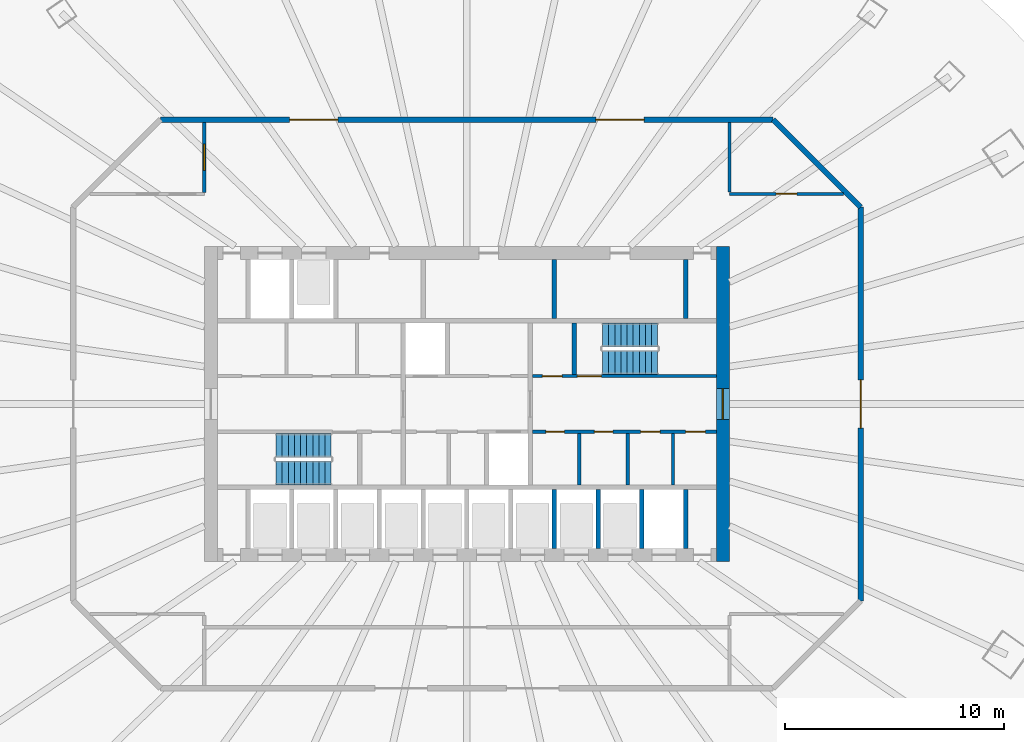
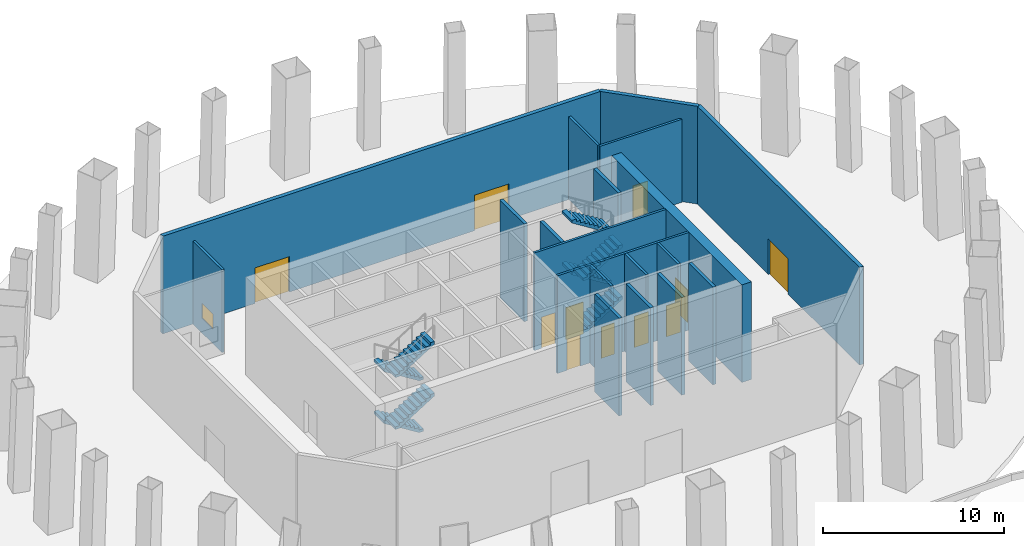
# One storey, part 8 of 10: 19 walls, 11 doors, 8 stair flights, 1 window, 12 openings, 2 elements without a shape of their own.
"""IFC4 building model written with IfcOpenShell, lengths in metres."""

from ifc_helpers import new_model, si_unit, direction, frame, frame_2d, origin, place, context, subcontext, project, spatial, polyline, rectangle, outline, extrude, material, layer, layer_set, type_object, element, fill, aggregate, save


model = new_model("IFC4")

# Units and contexts
model_context = context("Model", 3, precision=1e-05, world=origin(), true_north=direction((0.0, 1.0)))
body_context = subcontext(model_context, "Body", "Model", "MODEL_VIEW")
ifc_project = project(units=[si_unit("LENGTHUNIT", "METRE"), si_unit("AREAUNIT", "SQUARE_METRE"), si_unit("VOLUMEUNIT", "CUBIC_METRE"), si_unit("PLANEANGLEUNIT", "RADIAN"), si_unit("MASSUNIT", "GRAM", prefix="KILO")], contexts=[model_context])

# Site, building, storey
site_placement = place(None, origin())
site = spatial("IfcSite", under=ifc_project, at=site_placement, CompositionType="ELEMENT")
building_placement = place(site_placement, origin())
building = spatial("IfcBuilding", under=site, at=building_placement, Name="Siaravel Broadcast Tower", CompositionType="ELEMENT")
storey_placement = place(building_placement, origin())
storey = spatial("IfcBuildingStorey", under=building, at=storey_placement, Name="L00", CompositionType="ELEMENT", Elevation=0.0)

# Walls
ifc_material_1 = material(Name="Concrete blockwork", Category="masonry")
ifc_layer_1 = layer(ifc_material_1, 0.14990234375)
ifc_layer_set_1 = layer_set([ifc_layer_1], Name="Concrete blockwork")
wall_type_1 = type_object("IfcWallType", Name="Core partition 150", PredefinedType="PARTITIONING", material=ifc_layer_set_1)
for number, where, z_axis, x_axis, name in (
    (1, (5.14208984375, -3.699951171875, 0.0), (0.0, 0.0, 1.0), (0.0, 1.0, 0.0), "L00 core partition PSE0"),
    (2, (7.35888671875, -3.699951171875, 0.0), (0.0, 0.0, 1.0), (0.0, 1.0, 0.0), "L00 core partition PSE1"),
    (3, (9.4169921875, -3.699951171875, 0.0), (0.0, 0.0, 1.0), (0.0, 1.0, 0.0), "L00 core partition PSE2"),
):
    element("IfcWall", number, at=place(storey_placement, frame(where, z_axis=z_axis, x_axis=x_axis)), inside=storey, type_object=wall_type_1, Name=name, PredefinedType="PARTITIONING", context=body_context, shape_type="SweptSolid", body=[
        extrude(rectangle(XDim=2.349853515625, YDim=0.14990234375, at=frame_2d((1.1748046875, 0.0))), origin(), (0.0, 0.0, 1.0), 6.60009765625),
    ])
ifc_layer_2 = layer(ifc_material_1, 0.199951171875)
ifc_layer_set_2 = layer_set([ifc_layer_2], Name="Concrete blockwork")
wall_type_2 = type_object("IfcWallType", Name="Core partition 200", PredefinedType="PARTITIONING", material=ifc_layer_set_2)
wall_1_placement = place(storey_placement, frame((4.0, 3.89990234375, 0.0), z_axis=(0.0, 0.0, 1.0), x_axis=(0.0, 1.0, 0.0)))
element("IfcWall", 4, at=wall_1_placement, inside=storey, type_object=wall_type_2, Name="L00 core partition PFN4", PredefinedType="PARTITIONING", context=body_context, shape_type="SweptSolid", body=[
    extrude(rectangle(XDim=2.7001953125, YDim=0.199951171875, at=frame_2d((1.35009765625, 0.0))), origin(), (0.0, 0.0, 1.0), 6.60009765625),
])

# Wall, opening, door
ifc_material_2 = material(Name="Concrete C60/75", Category="concrete")
ifc_layer_3 = layer(ifc_material_2, 0.60009765625)
ifc_layer_set_3 = layer_set([ifc_layer_3], Name="Concrete C60/75")
wall_type_3 = type_object("IfcWallType", Name="Core wall 600", PredefinedType="SHEAR", material=ifc_layer_set_3)
wall_2_placement = place(storey_placement, frame((11.699951171875, -7.199951171875, 0.0), z_axis=(0.0, 0.0, 1.0), x_axis=(0.0, 1.0, 0.0)))
wall_2 = element("IfcWall", 5, at=wall_2_placement, inside=storey, type_object=wall_type_3, Name="L00 core wall OE", PredefinedType="SHEAR", context=body_context, shape_type="SweptSolid", body=[
    extrude(rectangle(XDim=14.39990234375, YDim=0.60009765625, at=frame_2d((7.199951171875, 0.0))), origin(), (0.0, 0.0, 1.0), 6.60009765625),
])
opening_1_placement = place(wall_2_placement, frame((6.5, 0.0, 0.0)))
opening_1 = element("IfcOpeningElement", 6, at=opening_1_placement, cuts=wall_2, Name="Opening L00-DX-E", PredefinedType="OPENING", context=body_context, shape_type="SweptSolid", body=[
    extrude(rectangle(XDim=1.39990234375, YDim=2.199951171875, at=frame_2d((0.699951171875, 1.10009765625))), frame((0.0, 0.31005859375, 0.0), z_axis=(0.0, -1.0, 0.0), x_axis=(1.0, 0.0, 0.0)), (0.0, 0.0, 1.0), 0.6201171875),
])
ifc_material_3 = material(Name="Steel", Category="steel")
door_type_1 = type_object("IfcDoorType", Name="Core exit door 1400", OperationType="DOUBLE_DOOR_SINGLE_SWING", PredefinedType="DOOR", material=ifc_material_3)
door_1_placement = place(opening_1_placement, origin())
door_1 = element("IfcDoor", 7, at=door_1_placement, inside=storey, type_object=door_type_1, Name="L00 door DX-E", OperationType="DOUBLE_DOOR_SINGLE_SWING", OverallHeight=2.199951171875, OverallWidth=1.39990234375, PredefinedType="DOOR", context=body_context, shape_type="SweptSolid", body=[
    extrude(rectangle(XDim=1.39990234375, YDim=2.199951171875, at=frame_2d((0.699951171875, 1.10009765625))), frame((0.0, 0.02490234375, 0.0), z_axis=(0.0, -1.0, 0.0), x_axis=(1.0, 0.0, 0.0)), (0.0, 0.0, 1.0), 0.050048828125),
])
fill(opening_1, door_1)

# Wall, openings, doors
ifc_material_4 = material(Name="Gypsum board partition", Category="gypsum")
ifc_layer_4 = layer(ifc_material_4, 0.14990234375)
ifc_layer_set_4 = layer_set([ifc_layer_4], Name="Gypsum board partition")
wall_type_4 = type_object("IfcWallType", Name="Corridor wall 150", PredefinedType="PARTITIONING", material=ifc_layer_set_4)
wall_3_placement = place(storey_placement, frame((3.0, -1.27490234375, 0.0), z_axis=(0.0, 0.0, 1.0), x_axis=(1.0, 0.0, 0.0)))
wall_3 = element("IfcWall", 8, at=wall_3_placement, inside=storey, type_object=wall_type_4, Name="L00 core partition CSE", PredefinedType="PARTITIONING", context=body_context, shape_type="SweptSolid", body=[
    extrude(rectangle(XDim=8.39990234375, YDim=0.14990234375, at=frame_2d((4.199951171875, 0.0))), origin(), (0.0, 0.0, 1.0), 6.60009765625),
])
opening_2_placement = place(wall_3_placement, frame((0.6083984375, 0.0, 0.0)))
opening_2 = element("IfcOpeningElement", 9, at=opening_2_placement, cuts=wall_3, Name="Opening L00-DSE0", PredefinedType="OPENING", context=body_context, shape_type="SweptSolid", body=[
    extrude(rectangle(XDim=0.85009765625, YDim=2.10009765625, at=frame_2d((0.425048828125, 1.050048828125))), frame((0.0, 0.0849609375, 0.0), z_axis=(0.0, -1.0, 0.0), x_axis=(1.0, 0.0, 0.0)), (0.0, 0.0, 1.0), 0.169921875),
])
opening_3_placement = place(wall_3_placement, frame((2.825439453125, 0.0, 0.0)))
opening_3 = element("IfcOpeningElement", 10, at=opening_3_placement, cuts=wall_3, Name="Opening L00-DSE1", PredefinedType="OPENING", context=body_context, shape_type="SweptSolid", body=[
    extrude(rectangle(XDim=0.85009765625, YDim=2.10009765625, at=frame_2d((0.425048828125, 1.050048828125))), frame((0.0, 0.0849609375, 0.0), z_axis=(0.0, -1.0, 0.0), x_axis=(1.0, 0.0, 0.0)), (0.0, 0.0, 1.0), 0.169921875),
])
opening_4_placement = place(wall_3_placement, frame((4.93798828125, 0.0, 0.0)))
opening_4 = element("IfcOpeningElement", 11, at=opening_4_placement, cuts=wall_3, Name="Opening L00-DSE2", PredefinedType="OPENING", context=body_context, shape_type="SweptSolid", body=[
    extrude(rectangle(XDim=0.89990234375, YDim=2.10009765625, at=frame_2d((0.449951171875, 1.050048828125))), frame((0.0, 0.0849609375, 0.0), z_axis=(0.0, -1.0, 0.0), x_axis=(1.0, 0.0, 0.0)), (0.0, 0.0, 1.0), 0.169921875),
])
opening_5_placement = place(wall_3_placement, frame((6.99609375, 0.0, 0.0)))
opening_5 = element("IfcOpeningElement", 12, at=opening_5_placement, cuts=wall_3, Name="Opening L00-DSE3", PredefinedType="OPENING", context=body_context, shape_type="SweptSolid", body=[
    extrude(rectangle(XDim=0.89990234375, YDim=2.10009765625, at=frame_2d((0.449951171875, 1.050048828125))), frame((0.0, 0.0849609375, 0.0), z_axis=(0.0, -1.0, 0.0), x_axis=(1.0, 0.0, 0.0)), (0.0, 0.0, 1.0), 0.169921875),
])
ifc_material_5 = material(Name="Timber veneer", Category="wood")
door_type_2 = type_object("IfcDoorType", Name="Core room door 900", OperationType="SINGLE_SWING_LEFT", PredefinedType="DOOR", material=ifc_material_5)
door_2_placement = place(opening_4_placement, origin())
door_2 = element("IfcDoor", 13, at=door_2_placement, inside=storey, type_object=door_type_2, Name="L00 door DSE2", OperationType="SINGLE_SWING_LEFT", OverallHeight=2.10009765625, OverallWidth=0.89990234375, PredefinedType="DOOR", context=body_context, shape_type="SweptSolid", body=[
    extrude(rectangle(XDim=0.89990234375, YDim=2.10009765625, at=frame_2d((0.449951171875, 1.050048828125))), frame((0.0, 0.02490234375, 0.0), z_axis=(0.0, -1.0, 0.0), x_axis=(1.0, 0.0, 0.0)), (0.0, 0.0, 1.0), 0.050048828125),
])
fill(opening_4, door_2)
door_3_placement = place(opening_5_placement, origin())
door_3 = element("IfcDoor", 14, at=door_3_placement, inside=storey, type_object=door_type_2, Name="L00 door DSE3", OperationType="SINGLE_SWING_LEFT", OverallHeight=2.10009765625, OverallWidth=0.89990234375, PredefinedType="DOOR", context=body_context, shape_type="SweptSolid", body=[
    extrude(rectangle(XDim=0.89990234375, YDim=2.10009765625, at=frame_2d((0.449951171875, 1.050048828125))), frame((0.0, 0.02490234375, 0.0), z_axis=(0.0, -1.0, 0.0), x_axis=(1.0, 0.0, 0.0)), (0.0, 0.0, 1.0), 0.050048828125),
])
fill(opening_5, door_3)
door_type_3 = type_object("IfcDoorType", Name="Core toilet door 850", OperationType="SINGLE_SWING_LEFT", PredefinedType="DOOR", material=ifc_material_5)
door_4_placement = place(opening_2_placement, origin())
door_4 = element("IfcDoor", 15, at=door_4_placement, inside=storey, type_object=door_type_3, Name="L00 door DSE0", OperationType="SINGLE_SWING_LEFT", OverallHeight=2.10009765625, OverallWidth=0.85009765625, PredefinedType="DOOR", context=body_context, shape_type="SweptSolid", body=[
    extrude(rectangle(XDim=0.85009765625, YDim=2.10009765625, at=frame_2d((0.425048828125, 1.050048828125))), frame((0.0, 0.02490234375, 0.0), z_axis=(0.0, -1.0, 0.0), x_axis=(1.0, 0.0, 0.0)), (0.0, 0.0, 1.0), 0.050048828125),
])
fill(opening_2, door_4)
door_5_placement = place(opening_3_placement, origin())
door_5 = element("IfcDoor", 16, at=door_5_placement, inside=storey, type_object=door_type_3, Name="L00 door DSE1", OperationType="SINGLE_SWING_LEFT", OverallHeight=2.10009765625, OverallWidth=0.85009765625, PredefinedType="DOOR", context=body_context, shape_type="SweptSolid", body=[
    extrude(rectangle(XDim=0.85009765625, YDim=2.10009765625, at=frame_2d((0.425048828125, 1.050048828125))), frame((0.0, 0.02490234375, 0.0), z_axis=(0.0, -1.0, 0.0), x_axis=(1.0, 0.0, 0.0)), (0.0, 0.0, 1.0), 0.050048828125),
])
fill(opening_3, door_5)

# Wall, opening, door
wall_4_placement = place(storey_placement, frame((17.22314453125, 9.60009765625, 0.0), z_axis=(0.0, 0.0, 1.0), x_axis=(-1.0, 0.0, 0.0)))
wall_4 = element("IfcWall", 17, at=wall_4_placement, inside=storey, type_object=wall_type_4, Name="L00 partition 5", PredefinedType="PARTITIONING", context=body_context, shape_type="SweptSolid", body=[
    extrude(rectangle(XDim=5.22314453125, YDim=0.14990234375, at=frame_2d((2.611572265625, 0.0))), origin(), (0.0, 0.0, 1.0), 5.60009765625),
])
opening_6_placement = place(wall_4_placement, frame((2.13671875, 0.0, 0.0)))
opening_6 = element("IfcOpeningElement", 18, at=opening_6_placement, cuts=wall_4, Name="Opening L00-002", PredefinedType="OPENING", context=body_context, shape_type="SweptSolid", body=[
    extrude(rectangle(XDim=0.949951171875, YDim=2.14990234375, at=frame_2d((0.47509765625, 1.074951171875))), frame((0.0, 0.0849609375, 0.0), z_axis=(0.0, -1.0, 0.0), x_axis=(1.0, 0.0, 0.0)), (0.0, 0.0, 1.0), 0.169921875),
])
door_type_4 = type_object("IfcDoorType", Name="Office door 950", OperationType="SINGLE_SWING_LEFT", PredefinedType="DOOR", material=ifc_material_5)
door_6_placement = place(opening_6_placement, origin())
door_6 = element("IfcDoor", 19, at=door_6_placement, inside=storey, type_object=door_type_4, Name="L00 door to Reception", OperationType="SINGLE_SWING_RIGHT", OverallHeight=2.14990234375, OverallWidth=0.949951171875, PredefinedType="DOOR", context=body_context, shape_type="SweptSolid", body=[
    extrude(rectangle(XDim=0.949951171875, YDim=2.14990234375, at=frame_2d((0.47509765625, 1.074951171875))), frame((0.0, 0.02490234375, 0.0), z_axis=(0.0, -1.0, 0.0), x_axis=(1.0, 0.0, 0.0)), (0.0, 0.0, 1.0), 0.050048828125),
])
fill(opening_6, door_6)

# Wall, opening, window
wall_5_placement = place(storey_placement, frame((-12.0, 12.875, 0.0), z_axis=(0.0, 0.0, 1.0), x_axis=(0.0, -1.0, 0.0)))
wall_5 = element("IfcWall", 20, at=wall_5_placement, inside=storey, type_object=wall_type_4, Name="L00 partition 6", PredefinedType="PARTITIONING", context=body_context, shape_type="SweptSolid", body=[
    extrude(rectangle(XDim=3.197998046875, YDim=0.14990234375, at=frame_2d((1.59912109375, 0.0))), origin(), (0.0, 0.0, 1.0), 5.60009765625),
])
opening_7_placement = place(wall_5_placement, frame((0.9990234375, 0.0, 1.0)))
opening_7 = element("IfcOpeningElement", 21, at=opening_7_placement, cuts=wall_5, Name="Opening L00-W02", PredefinedType="OPENING", context=body_context, shape_type="SweptSolid", body=[
    extrude(rectangle(XDim=1.199951171875, YDim=1.0, at=frame_2d((0.60009765625, 0.5))), frame((0.0, 0.0849609375, 0.0), z_axis=(0.0, -1.0, 0.0), x_axis=(1.0, 0.0, 0.0)), (0.0, 0.0, 1.0), 0.169921875),
])
ifc_material_6 = material(Name="Laminated security glass", Category="glass")
window_type = type_object("IfcWindowType", Name="Security hatch window 1200", PartitioningType="SINGLE_PANEL", PredefinedType="WINDOW", material=ifc_material_6)
window_placement = place(opening_7_placement, origin())
window = element("IfcWindow", 22, at=window_placement, inside=storey, type_object=window_type, Name="L00 security hatch 2", OverallHeight=1.0, OverallWidth=1.199951171875, PartitioningType="SINGLE_PANEL", PredefinedType="WINDOW", context=body_context, shape_type="SweptSolid", body=[
    extrude(rectangle(XDim=1.199951171875, YDim=1.0, at=frame_2d((0.60009765625, 0.5))), frame((0.0, 0.030029296875, 0.0), z_axis=(0.0, -1.0, 0.0), x_axis=(1.0, 0.0, 0.0)), (0.0, 0.0, 1.0), 0.06005859375),
])
fill(opening_7, window)

# Wall
wall_6_placement = place(storey_placement, frame((12.0, 9.677001953125, 0.0), z_axis=(0.0, 0.0, 1.0), x_axis=(0.0, 1.0, 0.0)))
element("IfcWall", 23, at=wall_6_placement, inside=storey, type_object=wall_type_4, Name="L00 partition 7", PredefinedType="PARTITIONING", context=body_context, shape_type="SweptSolid", body=[
    extrude(rectangle(XDim=3.197998046875, YDim=0.14990234375, at=frame_2d((1.59912109375, 0.0))), origin(), (0.0, 0.0, 1.0), 5.60009765625),
])

# Wall, opening, door
ifc_material_7 = material(Name="Concrete C40/50", Category="concrete")
ifc_layer_5 = layer(ifc_material_7, 0.25)
ifc_layer_set_5 = layer_set([ifc_layer_5], Name="Concrete C40/50")
wall_type_5 = type_object("IfcWallType", Name="Pavilion glazed wall", PredefinedType="STANDARD", material=ifc_layer_set_5)
wall_7_placement = place(storey_placement, frame((18.0, 9.0, 0.0), z_axis=(0.0, 0.0, 1.0), x_axis=(0.0, -1.0, 0.0)))
wall_7 = element("IfcWall", 24, at=wall_7_placement, inside=storey, type_object=wall_type_5, Name="Lobby pavilion wall 01", PredefinedType="STANDARD", context=body_context, shape_type="SweptSolid", body=[
    extrude(rectangle(XDim=18.0, YDim=0.25, at=frame_2d((9.0, 0.0))), origin(), (0.0, 0.0, 1.0), 6.60009765625),
])
opening_8_placement = place(wall_7_placement, frame((7.89990234375, 0.0, 0.0)))
opening_8 = element("IfcOpeningElement", 25, at=opening_8_placement, cuts=wall_7, Name="Opening L00-ENT-E", PredefinedType="OPENING", context=body_context, shape_type="SweptSolid", body=[
    extrude(rectangle(XDim=2.199951171875, YDim=2.39990234375, at=frame_2d((1.10009765625, 1.199951171875))), frame((0.0, 0.135009765625, 0.0), z_axis=(0.0, -1.0, 0.0), x_axis=(1.0, 0.0, 0.0)), (0.0, 0.0, 1.0), 0.27001953125),
])
ifc_material_8 = material(Name="Aluminium 6063-T6", Category="aluminium")
door_type_5 = type_object("IfcDoorType", Name="Entrance door", OperationType="DOUBLE_DOOR_SINGLE_SWING", PredefinedType="DOOR", material=ifc_material_8)
door_7_placement = place(opening_8_placement, origin())
door_7 = element("IfcDoor", 26, at=door_7_placement, inside=storey, type_object=door_type_5, Name="Pavilion entrance door east", OperationType="DOUBLE_DOOR_SINGLE_SWING", OverallHeight=2.39990234375, OverallWidth=2.199951171875, PredefinedType="DOOR", context=body_context, shape_type="SweptSolid", body=[
    extrude(rectangle(XDim=2.199951171875, YDim=2.39990234375, at=frame_2d((1.10009765625, 1.199951171875))), frame((0.0, 0.02490234375, 0.0), z_axis=(0.0, -1.0, 0.0), x_axis=(1.0, 0.0, 0.0)), (0.0, 0.0, 1.0), 0.050048828125),
])
fill(opening_8, door_7)

# Wall
wall_8_placement = place(storey_placement, frame((14.0, 13.0, 0.0), z_axis=(0.0, 0.0, 1.0), x_axis=(0.707106781, -0.707106781, 0.0)))
element("IfcWall", 27, at=wall_8_placement, inside=storey, type_object=wall_type_5, Name="Lobby pavilion wall 02", PredefinedType="STANDARD", context=body_context, shape_type="SweptSolid", body=[
    extrude(rectangle(XDim=5.65673828125, YDim=0.25, at=frame_2d((2.828369140625, 0.0))), origin(), (0.0, 0.0, 1.0), 6.60009765625),
])

# Wall, openings, doors
wall_9_placement = place(storey_placement, frame((-14.0, 13.0, 0.0), z_axis=(0.0, 0.0, 1.0), x_axis=(1.0, 0.0, 0.0)))
wall_9 = element("IfcWall", 28, at=wall_9_placement, inside=storey, type_object=wall_type_5, Name="Lobby pavilion wall 03", PredefinedType="STANDARD", context=body_context, shape_type="SweptSolid", body=[
    extrude(rectangle(XDim=28.0, YDim=0.25, at=frame_2d((14.0, 0.0))), origin(), (0.0, 0.0, 1.0), 6.60009765625),
])
opening_9_placement = place(wall_9_placement, frame((5.89990234375, 0.0, 0.0)))
opening_9 = element("IfcOpeningElement", 29, at=opening_9_placement, cuts=wall_9, Name="Opening L00-ENT-N1", PredefinedType="OPENING", context=body_context, shape_type="SweptSolid", body=[
    extrude(rectangle(XDim=2.199951171875, YDim=2.39990234375, at=frame_2d((1.10009765625, 1.199951171875))), frame((0.0, 0.135009765625, 0.0), z_axis=(0.0, -1.0, 0.0), x_axis=(1.0, 0.0, 0.0)), (0.0, 0.0, 1.0), 0.27001953125),
])
opening_10_placement = place(wall_9_placement, frame((19.89990234375, 0.0, 0.0)))
opening_10 = element("IfcOpeningElement", 30, at=opening_10_placement, cuts=wall_9, Name="Opening L00-ENT-N2", PredefinedType="OPENING", context=body_context, shape_type="SweptSolid", body=[
    extrude(rectangle(XDim=2.199951171875, YDim=2.39990234375, at=frame_2d((1.10009765625, 1.199951171875))), frame((0.0, 0.135009765625, 0.0), z_axis=(0.0, -1.0, 0.0), x_axis=(1.0, 0.0, 0.0)), (0.0, 0.0, 1.0), 0.27001953125),
])
door_8_placement = place(opening_9_placement, origin())
door_8 = element("IfcDoor", 31, at=door_8_placement, inside=storey, type_object=door_type_5, Name="Pavilion entrance door north 1", OperationType="DOUBLE_DOOR_SINGLE_SWING", OverallHeight=2.39990234375, OverallWidth=2.199951171875, PredefinedType="DOOR", context=body_context, shape_type="SweptSolid", body=[
    extrude(rectangle(XDim=2.199951171875, YDim=2.39990234375, at=frame_2d((1.10009765625, 1.199951171875))), frame((0.0, 0.02490234375, 0.0), z_axis=(0.0, -1.0, 0.0), x_axis=(1.0, 0.0, 0.0)), (0.0, 0.0, 1.0), 0.050048828125),
])
fill(opening_9, door_8)
door_9_placement = place(opening_10_placement, origin())
door_9 = element("IfcDoor", 32, at=door_9_placement, inside=storey, type_object=door_type_5, Name="Pavilion entrance door north 2", OperationType="DOUBLE_DOOR_SINGLE_SWING", OverallHeight=2.39990234375, OverallWidth=2.199951171875, PredefinedType="DOOR", context=body_context, shape_type="SweptSolid", body=[
    extrude(rectangle(XDim=2.199951171875, YDim=2.39990234375, at=frame_2d((1.10009765625, 1.199951171875))), frame((0.0, 0.02490234375, 0.0), z_axis=(0.0, -1.0, 0.0), x_axis=(1.0, 0.0, 0.0)), (0.0, 0.0, 1.0), 0.050048828125),
])
fill(opening_10, door_9)

ifc_layer_6 = layer(ifc_material_2, 0.14990234375)
ifc_layer_set_6 = layer_set([ifc_layer_6], Name="Concrete C60/75")
wall_type_6 = type_object("IfcWallType", Name="Shaft wall 150", PredefinedType="SHEAR", material=ifc_layer_set_6)
wall_10_placement = place(storey_placement, frame((3.0, 1.27490234375, 0.0), z_axis=(0.0, 0.0, 1.0), x_axis=(1.0, 0.0, 0.0)))
wall_10 = element("IfcWall", 33, at=wall_10_placement, inside=storey, type_object=wall_type_6, Name="L00 core wall CNE", PredefinedType="SHEAR", context=body_context, shape_type="SweptSolid", body=[
    extrude(rectangle(XDim=8.39990234375, YDim=0.14990234375, at=frame_2d((4.199951171875, 0.0))), origin(), (0.0, 0.0, 1.0), 6.60009765625),
])
opening_11_placement = place(wall_10_placement, frame((2.050048828125, 0.0, 0.0)))
opening_11 = element("IfcOpeningElement", 34, at=opening_11_placement, cuts=wall_10, Name="Opening L00-DS-2", PredefinedType="OPENING", context=body_context, shape_type="SweptSolid", body=[
    extrude(rectangle(XDim=1.10009765625, YDim=2.14990234375, at=frame_2d((0.550048828125, 1.074951171875))), frame((0.0, 0.0849609375, 0.0), z_axis=(0.0, -1.0, 0.0), x_axis=(1.0, 0.0, 0.0)), (0.0, 0.0, 1.0), 0.169921875),
])
opening_12_placement = place(wall_10_placement, frame((0.449951171875, 0.0, 0.0)))
opening_12 = element("IfcOpeningElement", 35, at=opening_12_placement, cuts=wall_10, Name="Opening L00-DNE0", PredefinedType="OPENING", context=body_context, shape_type="SweptSolid", body=[
    extrude(rectangle(XDim=0.89990234375, YDim=2.10009765625, at=frame_2d((0.449951171875, 1.050048828125))), frame((0.0, 0.0849609375, 0.0), z_axis=(0.0, -1.0, 0.0), x_axis=(1.0, 0.0, 0.0)), (0.0, 0.0, 1.0), 0.169921875),
])
door_10_placement = place(opening_12_placement, origin())
door_10 = element("IfcDoor", 36, at=door_10_placement, inside=storey, type_object=door_type_2, Name="L00 door DNE0", OperationType="SINGLE_SWING_LEFT", OverallHeight=2.10009765625, OverallWidth=0.89990234375, PredefinedType="DOOR", context=body_context, shape_type="SweptSolid", body=[
    extrude(rectangle(XDim=0.89990234375, YDim=2.10009765625, at=frame_2d((0.449951171875, 1.050048828125))), frame((0.0, 0.02490234375, 0.0), z_axis=(0.0, -1.0, 0.0), x_axis=(1.0, 0.0, 0.0)), (0.0, 0.0, 1.0), 0.050048828125),
])
fill(opening_12, door_10)
door_type_6 = type_object("IfcDoorType", Name="Stair door 1100", OperationType="SINGLE_SWING_LEFT", PredefinedType="DOOR", material=ifc_material_3)
door_11_placement = place(opening_11_placement, origin())
door_11 = element("IfcDoor", 37, at=door_11_placement, inside=storey, type_object=door_type_6, Name="L00 door DS-2", OperationType="SINGLE_SWING_LEFT", OverallHeight=2.14990234375, OverallWidth=1.10009765625, PredefinedType="DOOR", context=body_context, shape_type="SweptSolid", body=[
    extrude(rectangle(XDim=1.10009765625, YDim=2.14990234375, at=frame_2d((0.550048828125, 1.074951171875))), frame((0.0, 0.02490234375, 0.0), z_axis=(0.0, -1.0, 0.0), x_axis=(1.0, 0.0, 0.0)), (0.0, 0.0, 1.0), 0.050048828125),
])
fill(opening_11, door_11)

# Walls
ifc_layer_7 = layer(ifc_material_2, 0.199951171875)
ifc_layer_set_7 = layer_set([ifc_layer_7], Name="Concrete C60/75")
wall_type_7 = type_object("IfcWallType", Name="Shaft wall 200", PredefinedType="SHEAR", material=ifc_layer_set_7)
for number, where, z_axis, x_axis, name in (
    (38, (4.0, -6.60009765625, 0.0), (0.0, 0.0, 1.0), (0.0, 1.0, 0.0), "L00 core wall SWS7"),
    (39, (6.0, -6.60009765625, 0.0), (0.0, 0.0, 1.0), (0.0, 1.0, 0.0), "L00 core wall SWS8"),
    (40, (8.0, -6.60009765625, 0.0), (0.0, 0.0, 1.0), (0.0, 1.0, 0.0), "L00 core wall SWS9"),
    (41, (10.0, -6.60009765625, 0.0), (0.0, 0.0, 1.0), (0.0, 1.0, 0.0), "L00 core wall SWS10"),
    (42, (10.0, 3.89990234375, 0.0), (0.0, 0.0, 1.0), (0.0, 1.0, 0.0), "L00 core wall SWN10"),
):
    element("IfcWall", number, at=place(storey_placement, frame(where, z_axis=z_axis, x_axis=x_axis)), inside=storey, type_object=wall_type_7, Name=name, PredefinedType="SHEAR", context=body_context, shape_type="SweptSolid", body=[
        extrude(rectangle(XDim=2.7001953125, YDim=0.199951171875, at=frame_2d((1.35009765625, 0.0))), origin(), (0.0, 0.0, 1.0), 6.60009765625),
    ])
wall_11_placement = place(storey_placement, frame((4.89990234375, 1.35009765625, 0.0), z_axis=(0.0, 0.0, 1.0), x_axis=(0.0, 1.0, 0.0)))
element("IfcWall", 43, at=wall_11_placement, inside=storey, type_object=wall_type_7, Name="L00 core wall ST2W", PredefinedType="SHEAR", context=body_context, shape_type="SweptSolid", body=[
    extrude(rectangle(XDim=2.349853515625, YDim=0.199951171875, at=frame_2d((1.1748046875, 0.0))), origin(), (0.0, 0.0, 1.0), 6.60009765625),
])

# Stair, stair flights
stair_type = type_object("IfcStairType", Name="Core exit stair", PredefinedType="HALF_TURN_STAIR", material=ifc_material_7)
stair_1_placement = place(storey_placement, origin())
stair_1 = element("IfcStair", 44, at=stair_1_placement, inside=storey, type_object=stair_type, Name="L00 Exit stair ST-1", PredefinedType="HALF_TURN_STAIR")
stair_flight_type = type_object("IfcStairFlightType", Name="Stair flight 1100", PredefinedType="STRAIGHT", material=ifc_material_7)
stair_flight_1_placement = place(storey_placement, frame((-6.199951171875, -1.89990234375, 0.0), z_axis=(0.0, 0.0, 1.0), x_axis=(-1.0, 0.0, 0.0)))
stair_flight_1 = element("IfcStairFlight", 45, at=stair_flight_1_placement, type_object=stair_flight_type, Name="ST-1 flight 1", NumberOfRisers=10, NumberOfTreads=9, PredefinedType="STRAIGHT", RiserHeight=0.175, TreadLength=0.28, context=body_context, shape_type="SweptSolid", body=[
    extrude(outline(polyline([(0.0, 0.0), (0.0, 0.175048828125), (0.280029296875, 0.175048828125), (0.280029296875, 0.35009765625), (0.56005859375, 0.35009765625), (0.56005859375, 0.52490234375), (0.840087890625, 0.52490234375), (0.840087890625, 0.699951171875), (1.1201171875, 0.699951171875), (1.1201171875, 0.875), (1.39990234375, 0.875), (1.39990234375, 1.050048828125), (1.679931640625, 1.050048828125), (1.679931640625, 1.22509765625), (1.9599609375, 1.22509765625), (1.9599609375, 1.39990234375), (2.239990234375, 1.39990234375), (2.239990234375, 1.574951171875), (2.52001953125, 1.574951171875), (2.52001953125, 1.75), (2.52001953125, 1.398193359375), (0.28271484375, 0.0), (0.0, 0.0)])), frame((0.0, 0.550048828125, 0.0), z_axis=(0.0, -1.0, 0.0), x_axis=(1.0, 0.0, 0.0)), (0.0, 0.0, 1.0), 1.10009765625),
])
stair_flight_2_placement = place(storey_placement, frame((-8.719970703125, -3.14990234375, 1.75), z_axis=(0.0, 0.0, 1.0), x_axis=(1.0, 0.0, 0.0)))
stair_flight_2 = element("IfcStairFlight", 46, at=stair_flight_2_placement, type_object=stair_flight_type, Name="ST-1 flight 2", NumberOfRisers=10, NumberOfTreads=9, PredefinedType="STRAIGHT", RiserHeight=0.175, TreadLength=0.28, context=body_context, shape_type="SweptSolid", body=[
    extrude(outline(polyline([(0.0, 0.0), (0.0, 0.175048828125), (0.280029296875, 0.175048828125), (0.280029296875, 0.35009765625), (0.56005859375, 0.35009765625), (0.56005859375, 0.52490234375), (0.840087890625, 0.52490234375), (0.840087890625, 0.699951171875), (1.1201171875, 0.699951171875), (1.1201171875, 0.875), (1.39990234375, 0.875), (1.39990234375, 1.050048828125), (1.679931640625, 1.050048828125), (1.679931640625, 1.22509765625), (1.9599609375, 1.22509765625), (1.9599609375, 1.39990234375), (2.239990234375, 1.39990234375), (2.239990234375, 1.574951171875), (2.52001953125, 1.574951171875), (2.52001953125, 1.75), (2.52001953125, 1.398193359375), (0.28271484375, 0.0), (0.0, 0.0)])), frame((0.0, 0.550048828125, 0.0), z_axis=(0.0, -1.0, 0.0), x_axis=(1.0, 0.0, 0.0)), (0.0, 0.0, 1.0), 1.10009765625),
])
stair_flight_3_placement = place(storey_placement, frame((-6.199951171875, -1.89990234375, 3.5), z_axis=(0.0, 0.0, 1.0), x_axis=(-1.0, 0.0, 0.0)))
stair_flight_3 = element("IfcStairFlight", 47, at=stair_flight_3_placement, type_object=stair_flight_type, Name="ST-1 flight 3", NumberOfRisers=10, NumberOfTreads=9, PredefinedType="STRAIGHT", RiserHeight=0.175, TreadLength=0.28, context=body_context, shape_type="SweptSolid", body=[
    extrude(outline(polyline([(0.0, 0.0), (0.0, 0.175048828125), (0.280029296875, 0.175048828125), (0.280029296875, 0.35009765625), (0.56005859375, 0.35009765625), (0.56005859375, 0.52490234375), (0.840087890625, 0.52490234375), (0.840087890625, 0.699951171875), (1.1201171875, 0.699951171875), (1.1201171875, 0.875), (1.39990234375, 0.875), (1.39990234375, 1.050048828125), (1.679931640625, 1.050048828125), (1.679931640625, 1.22509765625), (1.9599609375, 1.22509765625), (1.9599609375, 1.39990234375), (2.239990234375, 1.39990234375), (2.239990234375, 1.574951171875), (2.52001953125, 1.574951171875), (2.52001953125, 1.75), (2.52001953125, 1.398193359375), (0.28271484375, 0.0), (0.0, 0.0)])), frame((0.0, 0.550048828125, 0.0), z_axis=(0.0, -1.0, 0.0), x_axis=(1.0, 0.0, 0.0)), (0.0, 0.0, 1.0), 1.10009765625),
])
stair_flight_4_placement = place(storey_placement, frame((-8.719970703125, -3.14990234375, 5.25), z_axis=(0.0, 0.0, 1.0), x_axis=(1.0, 0.0, 0.0)))
stair_flight_4 = element("IfcStairFlight", 48, at=stair_flight_4_placement, type_object=stair_flight_type, Name="ST-1 flight 4", NumberOfRisers=10, NumberOfTreads=9, PredefinedType="STRAIGHT", RiserHeight=0.175, TreadLength=0.28, context=body_context, shape_type="SweptSolid", body=[
    extrude(outline(polyline([(0.0, 0.0), (0.0, 0.175048828125), (0.280029296875, 0.175048828125), (0.280029296875, 0.35009765625), (0.56005859375, 0.35009765625), (0.56005859375, 0.52490234375), (0.840087890625, 0.52490234375), (0.840087890625, 0.699951171875), (1.1201171875, 0.699951171875), (1.1201171875, 0.875), (1.39990234375, 0.875), (1.39990234375, 1.050048828125), (1.679931640625, 1.050048828125), (1.679931640625, 1.22509765625), (1.9599609375, 1.22509765625), (1.9599609375, 1.39990234375), (2.239990234375, 1.39990234375), (2.239990234375, 1.574951171875), (2.52001953125, 1.574951171875), (2.52001953125, 1.75), (2.52001953125, 1.398193359375), (0.28271484375, 0.0), (0.0, 0.0)])), frame((0.0, 0.550048828125, 0.0), z_axis=(0.0, -1.0, 0.0), x_axis=(1.0, 0.0, 0.0)), (0.0, 0.0, 1.0), 1.10009765625),
])
aggregate(stair_1, [stair_flight_1, stair_flight_2, stair_flight_3, stair_flight_4])

stair_2_placement = place(storey_placement, origin())
stair_2 = element("IfcStair", 49, at=stair_2_placement, inside=storey, type_object=stair_type, Name="L00 Exit stair ST-2", PredefinedType="HALF_TURN_STAIR")
stair_flight_5_placement = place(storey_placement, frame((6.199951171875, 1.89990234375, 0.0), z_axis=(0.0, 0.0, 1.0), x_axis=(1.0, 0.0, 0.0)))
stair_flight_5 = element("IfcStairFlight", 50, at=stair_flight_5_placement, type_object=stair_flight_type, Name="ST-2 flight 1", NumberOfRisers=10, NumberOfTreads=9, PredefinedType="STRAIGHT", RiserHeight=0.175, TreadLength=0.28, context=body_context, shape_type="SweptSolid", body=[
    extrude(outline(polyline([(0.0, 0.0), (0.0, 0.175048828125), (0.280029296875, 0.175048828125), (0.280029296875, 0.35009765625), (0.56005859375, 0.35009765625), (0.56005859375, 0.52490234375), (0.840087890625, 0.52490234375), (0.840087890625, 0.699951171875), (1.1201171875, 0.699951171875), (1.1201171875, 0.875), (1.39990234375, 0.875), (1.39990234375, 1.050048828125), (1.679931640625, 1.050048828125), (1.679931640625, 1.22509765625), (1.9599609375, 1.22509765625), (1.9599609375, 1.39990234375), (2.239990234375, 1.39990234375), (2.239990234375, 1.574951171875), (2.52001953125, 1.574951171875), (2.52001953125, 1.75), (2.52001953125, 1.398193359375), (0.28271484375, 0.0), (0.0, 0.0)])), frame((0.0, 0.550048828125, 0.0), z_axis=(0.0, -1.0, 0.0), x_axis=(1.0, 0.0, 0.0)), (0.0, 0.0, 1.0), 1.10009765625),
])
stair_flight_6_placement = place(storey_placement, frame((8.719970703125, 3.14990234375, 1.75), z_axis=(0.0, 0.0, 1.0), x_axis=(-1.0, 0.0, 0.0)))
stair_flight_6 = element("IfcStairFlight", 51, at=stair_flight_6_placement, type_object=stair_flight_type, Name="ST-2 flight 2", NumberOfRisers=10, NumberOfTreads=9, PredefinedType="STRAIGHT", RiserHeight=0.175, TreadLength=0.28, context=body_context, shape_type="SweptSolid", body=[
    extrude(outline(polyline([(0.0, 0.0), (0.0, 0.175048828125), (0.280029296875, 0.175048828125), (0.280029296875, 0.35009765625), (0.56005859375, 0.35009765625), (0.56005859375, 0.52490234375), (0.840087890625, 0.52490234375), (0.840087890625, 0.699951171875), (1.1201171875, 0.699951171875), (1.1201171875, 0.875), (1.39990234375, 0.875), (1.39990234375, 1.050048828125), (1.679931640625, 1.050048828125), (1.679931640625, 1.22509765625), (1.9599609375, 1.22509765625), (1.9599609375, 1.39990234375), (2.239990234375, 1.39990234375), (2.239990234375, 1.574951171875), (2.52001953125, 1.574951171875), (2.52001953125, 1.75), (2.52001953125, 1.398193359375), (0.28271484375, 0.0), (0.0, 0.0)])), frame((0.0, 0.550048828125, 0.0), z_axis=(0.0, -1.0, 0.0), x_axis=(1.0, 0.0, 0.0)), (0.0, 0.0, 1.0), 1.10009765625),
])
stair_flight_7_placement = place(storey_placement, frame((6.199951171875, 1.89990234375, 3.5), z_axis=(0.0, 0.0, 1.0), x_axis=(1.0, 0.0, 0.0)))
stair_flight_7 = element("IfcStairFlight", 52, at=stair_flight_7_placement, type_object=stair_flight_type, Name="ST-2 flight 3", NumberOfRisers=10, NumberOfTreads=9, PredefinedType="STRAIGHT", RiserHeight=0.175, TreadLength=0.28, context=body_context, shape_type="SweptSolid", body=[
    extrude(outline(polyline([(0.0, 0.0), (0.0, 0.175048828125), (0.280029296875, 0.175048828125), (0.280029296875, 0.35009765625), (0.56005859375, 0.35009765625), (0.56005859375, 0.52490234375), (0.840087890625, 0.52490234375), (0.840087890625, 0.699951171875), (1.1201171875, 0.699951171875), (1.1201171875, 0.875), (1.39990234375, 0.875), (1.39990234375, 1.050048828125), (1.679931640625, 1.050048828125), (1.679931640625, 1.22509765625), (1.9599609375, 1.22509765625), (1.9599609375, 1.39990234375), (2.239990234375, 1.39990234375), (2.239990234375, 1.574951171875), (2.52001953125, 1.574951171875), (2.52001953125, 1.75), (2.52001953125, 1.398193359375), (0.28271484375, 0.0), (0.0, 0.0)])), frame((0.0, 0.550048828125, 0.0), z_axis=(0.0, -1.0, 0.0), x_axis=(1.0, 0.0, 0.0)), (0.0, 0.0, 1.0), 1.10009765625),
])
stair_flight_8_placement = place(storey_placement, frame((8.719970703125, 3.14990234375, 5.25), z_axis=(0.0, 0.0, 1.0), x_axis=(-1.0, 0.0, 0.0)))
stair_flight_8 = element("IfcStairFlight", 53, at=stair_flight_8_placement, type_object=stair_flight_type, Name="ST-2 flight 4", NumberOfRisers=10, NumberOfTreads=9, PredefinedType="STRAIGHT", RiserHeight=0.175, TreadLength=0.28, context=body_context, shape_type="SweptSolid", body=[
    extrude(outline(polyline([(0.0, 0.0), (0.0, 0.175048828125), (0.280029296875, 0.175048828125), (0.280029296875, 0.35009765625), (0.56005859375, 0.35009765625), (0.56005859375, 0.52490234375), (0.840087890625, 0.52490234375), (0.840087890625, 0.699951171875), (1.1201171875, 0.699951171875), (1.1201171875, 0.875), (1.39990234375, 0.875), (1.39990234375, 1.050048828125), (1.679931640625, 1.050048828125), (1.679931640625, 1.22509765625), (1.9599609375, 1.22509765625), (1.9599609375, 1.39990234375), (2.239990234375, 1.39990234375), (2.239990234375, 1.574951171875), (2.52001953125, 1.574951171875), (2.52001953125, 1.75), (2.52001953125, 1.398193359375), (0.28271484375, 0.0), (0.0, 0.0)])), frame((0.0, 0.550048828125, 0.0), z_axis=(0.0, -1.0, 0.0), x_axis=(1.0, 0.0, 0.0)), (0.0, 0.0, 1.0), 1.10009765625),
])
aggregate(stair_2, [stair_flight_5, stair_flight_6, stair_flight_7, stair_flight_8])

save(model, "model.ifc")
